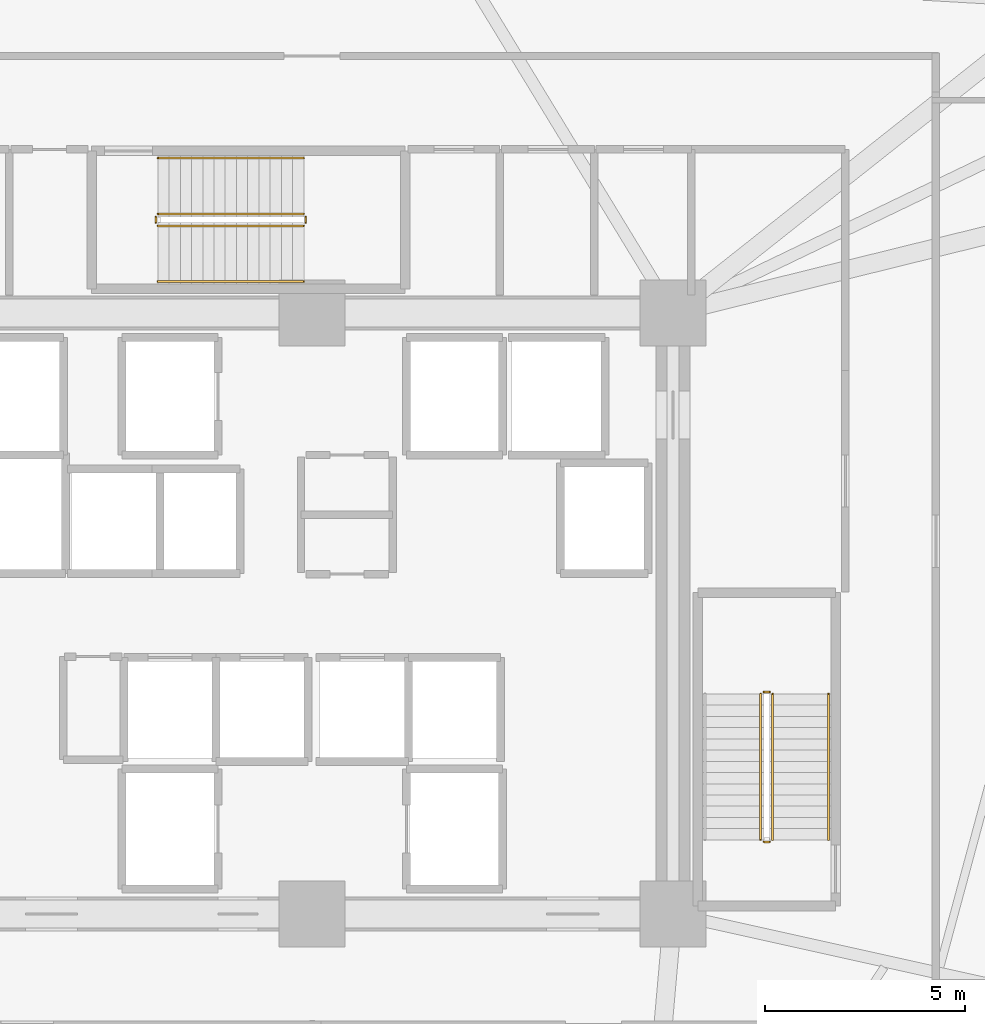
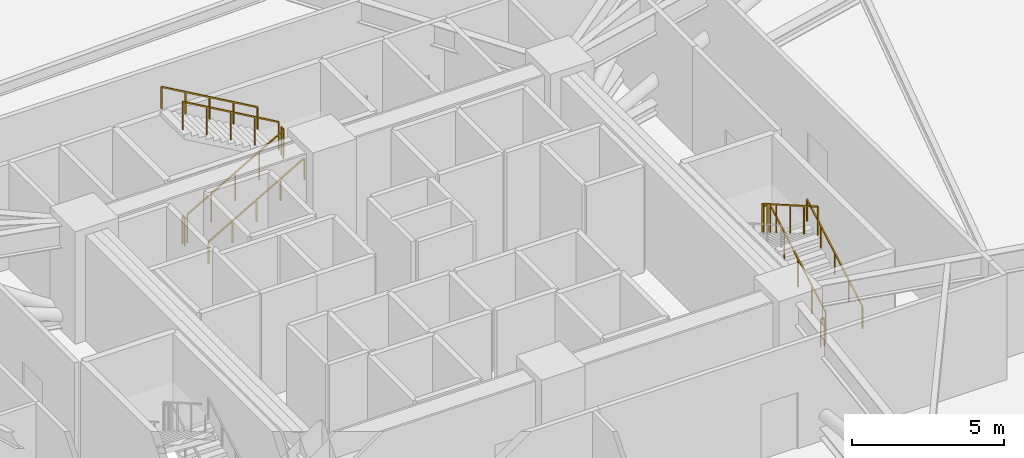
# One storey, part 24 of 25: 11 railings.
"""IFC4 building model written with IfcOpenShell, lengths in metres."""

from ifc_helpers import new_model, si_unit, direction, frame, origin, origin_2d, place, context, subcontext, project, spatial, rectangle, extrude, material, type_object, element, save


model = new_model("IFC4")

# Units and contexts
model_context = context("Model", 3, precision=1e-05, world=origin(), true_north=direction((0.0, 1.0)))
body_context = subcontext(model_context, "Body", "Model", "MODEL_VIEW")
ifc_project = project(units=[si_unit("LENGTHUNIT", "METRE"), si_unit("AREAUNIT", "SQUARE_METRE"), si_unit("VOLUMEUNIT", "CUBIC_METRE"), si_unit("PLANEANGLEUNIT", "RADIAN"), si_unit("MASSUNIT", "GRAM", prefix="KILO")], contexts=[model_context])

# Site, building, storey
site_placement = place(None, origin())
site = spatial("IfcSite", under=ifc_project, at=site_placement, CompositionType="ELEMENT")
building_placement = place(site_placement, origin())
building = spatial("IfcBuilding", under=site, at=building_placement, Name="Liaohun Quay Tower", CompositionType="ELEMENT")
storey_placement = place(building_placement, frame((0.0, 0.0, 93.0)))
storey = spatial("IfcBuildingStorey", under=building, at=storey_placement, Name="L24", CompositionType="ELEMENT", Elevation=93.0)

# Railings
ifc_material_1 = material(Name="Painted tubular steel", Category="steel")
railing_type_1 = type_object("IfcRailingType", Name="RLG-GUARD-STR", PredefinedType="GUARDRAIL", material=ifc_material_1)
railing_1_placement = place(storey_placement, frame((71.489990234375, 48.35009765625, 0.16064453125)))
element("IfcRailing", 1, at=railing_1_placement, inside=storey, type_object=railing_type_1, Name="L24 ST-2 stair guard 1", PredefinedType="GUARDRAIL", context=body_context, shape_type="SweptSolid", body=[
    extrude(rectangle(XDim=0.048095703125, YDim=0.048095703125, at=origin_2d()), frame((0.0, 0.0, 1.1259765625), z_axis=(0.0, 0.8672749571, 0.497829437445), x_axis=(-1.0, 0.0, 0.0)), (0.0, 0.0, 1.0), 4.197021484375),
    extrude(rectangle(XDim=0.0419921875, YDim=0.0419921875, at=origin_2d()), origin(), (0.0, 0.0, 1.0), 1.101806640625),
    extrude(rectangle(XDim=0.0419921875, YDim=0.0419921875, at=origin_2d()), frame((0.0, 0.909912109375, 0.5224609375)), (0.0, 0.0, 1.0), 1.101806640625),
    extrude(rectangle(XDim=0.0419921875, YDim=0.0419921875, at=origin_2d()), frame((0.0, 1.81982421875, 1.044677734375)), (0.0, 0.0, 1.0), 1.101806640625),
    extrude(rectangle(XDim=0.0419921875, YDim=0.0419921875, at=origin_2d()), frame((0.0, 2.72998046875, 1.56689453125)), (0.0, 0.0, 1.0), 1.101806640625),
    extrude(rectangle(XDim=0.0419921875, YDim=0.0419921875, at=origin_2d()), frame((0.0, 3.639892578125, 2.08935546875)), (0.0, 0.0, 1.0), 1.101806640625),
])
railing_2_placement = place(storey_placement, frame((71.409912109375, 52.0400390625, 2.25)))
element("IfcRailing", 2, at=railing_2_placement, inside=storey, type_object=railing_type_1, Name="L24 ST-2 stair guard 2", PredefinedType="GUARDRAIL", context=body_context, shape_type="SweptSolid", body=[
    extrude(rectangle(XDim=0.048095703125, YDim=0.048095703125, at=origin_2d()), frame((0.0, 0.0, 1.1259765625), z_axis=(-1.0, 0.0, 0.0), x_axis=(0.0, -1.0, 0.0)), (0.0, 0.0, 1.0), 0.139892578125),
    extrude(rectangle(XDim=0.0419921875, YDim=0.0419921875, at=origin_2d()), origin(), (0.0, 0.0, 1.0), 1.101806640625),
    extrude(rectangle(XDim=0.0419921875, YDim=0.0419921875, at=origin_2d()), frame((-0.139892578125, 0.0, 0.0)), (0.0, 0.0, 1.0), 1.101806640625),
])
railing_3_placement = place(storey_placement, frame((71.18994140625, 51.989990234375, 2.41064453125)))
element("IfcRailing", 3, at=railing_3_placement, inside=storey, type_object=railing_type_1, Name="L24 ST-2 stair guard 3", PredefinedType="GUARDRAIL", context=body_context, shape_type="SweptSolid", body=[
    extrude(rectangle(XDim=0.048095703125, YDim=0.048095703125, at=origin_2d()), frame((0.0, 0.0, 1.1259765625), z_axis=(0.0, -0.8672749571, 0.497829437445), x_axis=(1.0, 0.0, 0.0)), (0.0, 0.0, 1.0), 4.197021484375),
    extrude(rectangle(XDim=0.0419921875, YDim=0.0419921875, at=origin_2d()), origin(), (0.0, 0.0, 1.0), 1.101806640625),
    extrude(rectangle(XDim=0.0419921875, YDim=0.0419921875, at=origin_2d()), frame((0.0, -0.909912109375, 0.5224609375)), (0.0, 0.0, 1.0), 1.101806640625),
    extrude(rectangle(XDim=0.0419921875, YDim=0.0419921875, at=origin_2d()), frame((0.0, -1.81982421875, 1.044677734375)), (0.0, 0.0, 1.0), 1.101806640625),
    extrude(rectangle(XDim=0.0419921875, YDim=0.0419921875, at=origin_2d()), frame((0.0, -2.72998046875, 1.56689453125)), (0.0, 0.0, 1.0), 1.101806640625),
    extrude(rectangle(XDim=0.0419921875, YDim=0.0419921875, at=origin_2d()), frame((0.0, -3.639892578125, 2.08935546875)), (0.0, 0.0, 1.0), 1.101806640625),
])
railing_4_placement = place(storey_placement, frame((71.409912109375, 48.300048828125, 0.0)))
element("IfcRailing", 4, at=railing_4_placement, inside=storey, type_object=railing_type_1, Name="L24 ST-2 stair guard 4", PredefinedType="GUARDRAIL", context=body_context, shape_type="SweptSolid", body=[
    extrude(rectangle(XDim=0.048095703125, YDim=0.048095703125, at=origin_2d()), frame((0.0, 0.0, 1.1259765625), z_axis=(-1.0, 0.0, 0.0), x_axis=(0.0, -1.0, 0.0)), (0.0, 0.0, 1.0), 0.139892578125),
    extrude(rectangle(XDim=0.0419921875, YDim=0.0419921875, at=origin_2d()), origin(), (0.0, 0.0, 1.0), 1.101806640625),
    extrude(rectangle(XDim=0.0419921875, YDim=0.0419921875, at=origin_2d()), frame((-0.139892578125, 0.0, 0.0)), (0.0, 0.0, 1.0), 1.101806640625),
])
railing_5_placement = place(storey_placement, frame((56.14990234375, 63.669921875, 0.16064453125)))
element("IfcRailing", 5, at=railing_5_placement, inside=storey, type_object=railing_type_1, Name="L24 ST-3 stair guard 1", PredefinedType="GUARDRAIL", context=body_context, shape_type="SweptSolid", body=[
    extrude(rectangle(XDim=0.048095703125, YDim=0.048095703125, at=origin_2d()), frame((0.0, 0.0, 1.1259765625), z_axis=(0.867289372828, 0.0, 0.497804322781), x_axis=(0.0, 1.0, 0.0)), (0.0, 0.0, 1.0), 4.197021484375),
    extrude(rectangle(XDim=0.0419921875, YDim=0.0419921875, at=origin_2d()), origin(), (0.0, 0.0, 1.0), 1.101806640625),
    extrude(rectangle(XDim=0.0419921875, YDim=0.0419921875, at=origin_2d()), frame((0.91015625, 0.0, 0.5224609375)), (0.0, 0.0, 1.0), 1.101806640625),
    extrude(rectangle(XDim=0.0419921875, YDim=0.0419921875, at=origin_2d()), frame((1.820068359375, 0.0, 1.044677734375)), (0.0, 0.0, 1.0), 1.101806640625),
    extrude(rectangle(XDim=0.0419921875, YDim=0.0419921875, at=origin_2d()), frame((2.72998046875, 0.0, 1.56689453125)), (0.0, 0.0, 1.0), 1.101806640625),
    extrude(rectangle(XDim=0.0419921875, YDim=0.0419921875, at=origin_2d()), frame((3.64013671875, 0.0, 2.08935546875)), (0.0, 0.0, 1.0), 1.101806640625),
])
railing_6_placement = place(storey_placement, frame((59.840087890625, 63.75, 2.25)))
element("IfcRailing", 6, at=railing_6_placement, inside=storey, type_object=railing_type_1, Name="L24 ST-3 stair guard 2", PredefinedType="GUARDRAIL", context=body_context, shape_type="SweptSolid", body=[
    extrude(rectangle(XDim=0.048095703125, YDim=0.048095703125, at=origin_2d()), frame((0.0, 0.0, 1.1259765625), z_axis=(0.0, 1.0, 0.0), x_axis=(-1.0, 0.0, 0.0)), (0.0, 0.0, 1.0), 0.139892578125),
    extrude(rectangle(XDim=0.0419921875, YDim=0.0419921875, at=origin_2d()), origin(), (0.0, 0.0, 1.0), 1.101806640625),
    extrude(rectangle(XDim=0.0419921875, YDim=0.0419921875, at=origin_2d()), frame((0.0, 0.139892578125, 0.0)), (0.0, 0.0, 1.0), 1.101806640625),
])
railing_7_placement = place(storey_placement, frame((59.7900390625, 63.969970703125, 2.41064453125)))
element("IfcRailing", 7, at=railing_7_placement, inside=storey, type_object=railing_type_1, Name="L24 ST-3 stair guard 3", PredefinedType="GUARDRAIL", context=body_context, shape_type="SweptSolid", body=[
    extrude(rectangle(XDim=0.048095703125, YDim=0.048095703125, at=origin_2d()), frame((0.0, 0.0, 1.1259765625), z_axis=(-0.867289372828, 0.0, 0.497804322781), x_axis=(0.0, -1.0, 0.0)), (0.0, 0.0, 1.0), 4.197021484375),
    extrude(rectangle(XDim=0.0419921875, YDim=0.0419921875, at=origin_2d()), origin(), (0.0, 0.0, 1.0), 1.101806640625),
    extrude(rectangle(XDim=0.0419921875, YDim=0.0419921875, at=origin_2d()), frame((-0.91015625, 0.0, 0.5224609375)), (0.0, 0.0, 1.0), 1.101806640625),
    extrude(rectangle(XDim=0.0419921875, YDim=0.0419921875, at=origin_2d()), frame((-1.820068359375, 0.0, 1.044677734375)), (0.0, 0.0, 1.0), 1.101806640625),
    extrude(rectangle(XDim=0.0419921875, YDim=0.0419921875, at=origin_2d()), frame((-2.72998046875, 0.0, 1.56689453125)), (0.0, 0.0, 1.0), 1.101806640625),
    extrude(rectangle(XDim=0.0419921875, YDim=0.0419921875, at=origin_2d()), frame((-3.64013671875, 0.0, 2.08935546875)), (0.0, 0.0, 1.0), 1.101806640625),
])
railing_8_placement = place(storey_placement, frame((56.10009765625, 63.75, 0.0)))
element("IfcRailing", 8, at=railing_8_placement, inside=storey, type_object=railing_type_1, Name="L24 ST-3 stair guard 4", PredefinedType="GUARDRAIL", context=body_context, shape_type="SweptSolid", body=[
    extrude(rectangle(XDim=0.048095703125, YDim=0.048095703125, at=origin_2d()), frame((0.0, 0.0, 1.1259765625), z_axis=(0.0, 1.0, 0.0), x_axis=(-1.0, 0.0, 0.0)), (0.0, 0.0, 1.0), 0.139892578125),
    extrude(rectangle(XDim=0.0419921875, YDim=0.0419921875, at=origin_2d()), origin(), (0.0, 0.0, 1.0), 1.101806640625),
    extrude(rectangle(XDim=0.0419921875, YDim=0.0419921875, at=origin_2d()), frame((0.0, 0.139892578125, 0.0)), (0.0, 0.0, 1.0), 1.101806640625),
])
ifc_material_2 = material(Name="Brushed stainless steel", Category="steel")
railing_type_2 = type_object("IfcRailingType", Name="RLG-HND-STR", PredefinedType="HANDRAIL", material=ifc_material_2)
railing_9_placement = place(storey_placement, frame((72.8798828125, 48.35009765625, 0.16064453125)))
element("IfcRailing", 9, at=railing_9_placement, inside=storey, type_object=railing_type_2, Name="L24 ST-2 stair handrail 1", PredefinedType="HANDRAIL", context=body_context, shape_type="SweptSolid", body=[
    extrude(rectangle(XDim=0.048095703125, YDim=0.048095703125, at=origin_2d()), frame((0.0, 0.0, 0.8759765625), z_axis=(0.0, 0.8672749571, 0.497829437445), x_axis=(-1.0, 0.0, 0.0)), (0.0, 0.0, 1.0), 4.197021484375),
    extrude(rectangle(XDim=0.0419921875, YDim=0.0419921875, at=origin_2d()), origin(), (0.0, 0.0, 1.0), 0.851806640625),
    extrude(rectangle(XDim=0.0419921875, YDim=0.0419921875, at=origin_2d()), frame((0.0, 0.909912109375, 0.5224609375)), (0.0, 0.0, 1.0), 0.851806640625),
    extrude(rectangle(XDim=0.0419921875, YDim=0.0419921875, at=origin_2d()), frame((0.0, 1.81982421875, 1.044677734375)), (0.0, 0.0, 1.0), 0.851806640625),
    extrude(rectangle(XDim=0.0419921875, YDim=0.0419921875, at=origin_2d()), frame((0.0, 2.72998046875, 1.56689453125)), (0.0, 0.0, 1.0), 0.851806640625),
    extrude(rectangle(XDim=0.0419921875, YDim=0.0419921875, at=origin_2d()), frame((0.0, 3.639892578125, 2.08935546875)), (0.0, 0.0, 1.0), 0.851806640625),
])
railing_10_placement = place(storey_placement, frame((56.14990234375, 62.280029296875, 0.16064453125)))
element("IfcRailing", 10, at=railing_10_placement, inside=storey, type_object=railing_type_2, Name="L24 ST-3 stair handrail 1", PredefinedType="HANDRAIL", context=body_context, shape_type="SweptSolid", body=[
    extrude(rectangle(XDim=0.048095703125, YDim=0.048095703125, at=origin_2d()), frame((0.0, 0.0, 0.8759765625), z_axis=(0.867289372828, 0.0, 0.497804322781), x_axis=(0.0, 1.0, 0.0)), (0.0, 0.0, 1.0), 4.197021484375),
    extrude(rectangle(XDim=0.0419921875, YDim=0.0419921875, at=origin_2d()), origin(), (0.0, 0.0, 1.0), 0.851806640625),
    extrude(rectangle(XDim=0.0419921875, YDim=0.0419921875, at=origin_2d()), frame((0.91015625, 0.0, 0.5224609375)), (0.0, 0.0, 1.0), 0.851806640625),
    extrude(rectangle(XDim=0.0419921875, YDim=0.0419921875, at=origin_2d()), frame((1.820068359375, 0.0, 1.044677734375)), (0.0, 0.0, 1.0), 0.851806640625),
    extrude(rectangle(XDim=0.0419921875, YDim=0.0419921875, at=origin_2d()), frame((2.72998046875, 0.0, 1.56689453125)), (0.0, 0.0, 1.0), 0.851806640625),
    extrude(rectangle(XDim=0.0419921875, YDim=0.0419921875, at=origin_2d()), frame((3.64013671875, 0.0, 2.08935546875)), (0.0, 0.0, 1.0), 0.851806640625),
])
railing_11_placement = place(storey_placement, frame((59.7900390625, 65.360107421875, 2.41064453125)))
element("IfcRailing", 11, at=railing_11_placement, inside=storey, type_object=railing_type_2, Name="L24 ST-3 stair handrail 2", PredefinedType="HANDRAIL", context=body_context, shape_type="SweptSolid", body=[
    extrude(rectangle(XDim=0.048095703125, YDim=0.048095703125, at=origin_2d()), frame((0.0, 0.0, 0.8759765625), z_axis=(-0.867289372828, 0.0, 0.497804322781), x_axis=(0.0, -1.0, 0.0)), (0.0, 0.0, 1.0), 4.197021484375),
    extrude(rectangle(XDim=0.0419921875, YDim=0.0419921875, at=origin_2d()), origin(), (0.0, 0.0, 1.0), 0.851806640625),
    extrude(rectangle(XDim=0.0419921875, YDim=0.0419921875, at=origin_2d()), frame((-0.91015625, 0.0, 0.5224609375)), (0.0, 0.0, 1.0), 0.851806640625),
    extrude(rectangle(XDim=0.0419921875, YDim=0.0419921875, at=origin_2d()), frame((-1.820068359375, 0.0, 1.044677734375)), (0.0, 0.0, 1.0), 0.851806640625),
    extrude(rectangle(XDim=0.0419921875, YDim=0.0419921875, at=origin_2d()), frame((-2.72998046875, 0.0, 1.56689453125)), (0.0, 0.0, 1.0), 0.851806640625),
    extrude(rectangle(XDim=0.0419921875, YDim=0.0419921875, at=origin_2d()), frame((-3.64013671875, 0.0, 2.08935546875)), (0.0, 0.0, 1.0), 0.851806640625),
])

save(model, "model.ifc")
